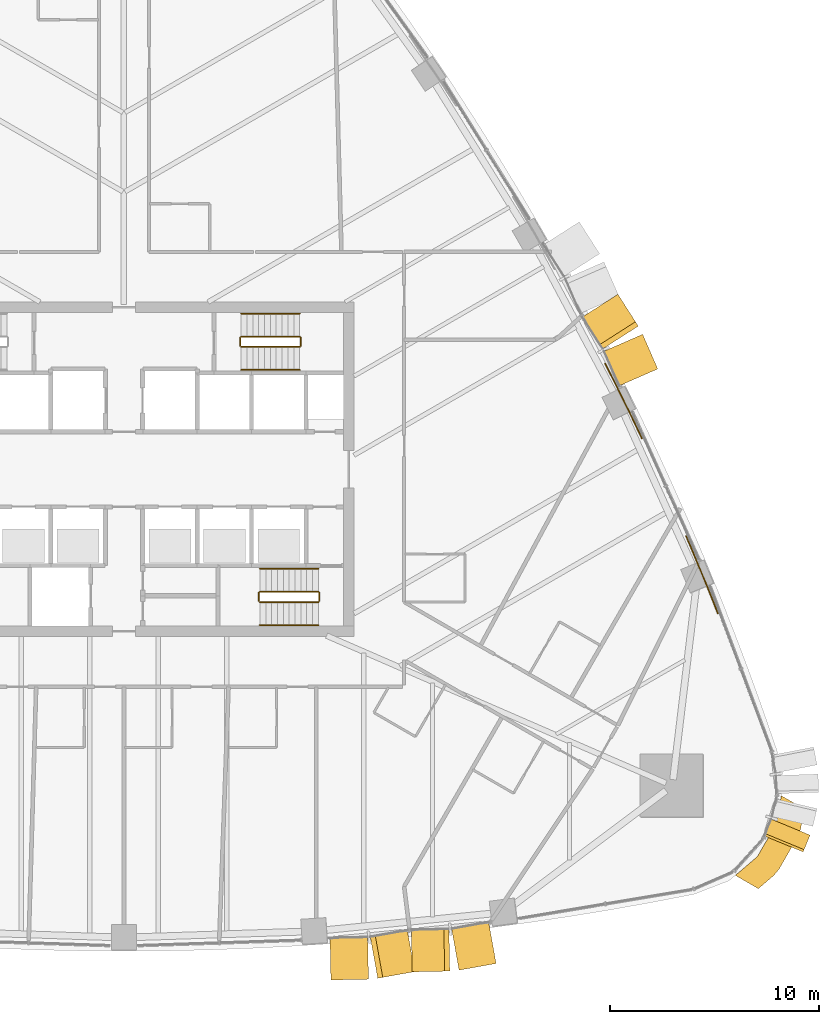
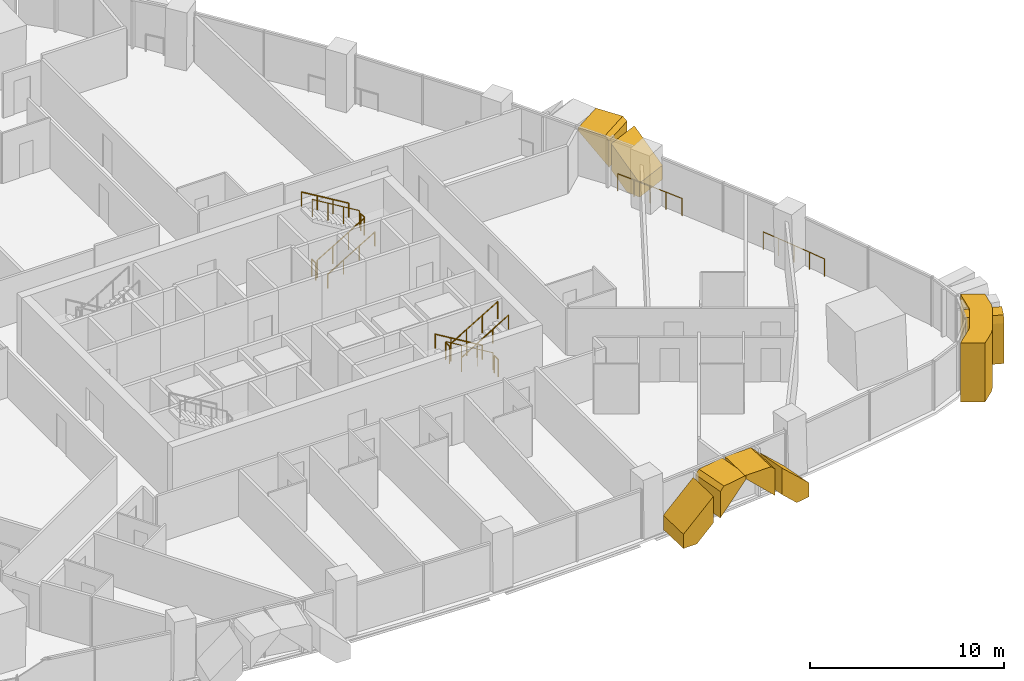
# One storey, part 16 of 18: 14 railings, 8 coverings.
"""IFC4 building model written with IfcOpenShell, lengths in metres."""

from ifc_helpers import new_model, si_unit, direction, frame, origin, origin_2d, place, context, subcontext, project, spatial, polyline, circle, outline, extrude, material, layer, layer_set, type_object, element, save


model = new_model("IFC4")

# Units and contexts
model_context = context("Model", 3, precision=1e-05, world=origin(), true_north=direction((0.0, 1.0)))
body_context = subcontext(model_context, "Body", "Model", "MODEL_VIEW")
ifc_project = project(units=[si_unit("LENGTHUNIT", "METRE"), si_unit("AREAUNIT", "SQUARE_METRE"), si_unit("VOLUMEUNIT", "CUBIC_METRE"), si_unit("PLANEANGLEUNIT", "RADIAN"), si_unit("MASSUNIT", "GRAM", prefix="KILO")], contexts=[model_context])

# Site, building, storey
site_placement = place(None, origin())
site = spatial("IfcSite", under=ifc_project, at=site_placement, CompositionType="ELEMENT")
building_placement = place(site_placement, origin())
building = spatial("IfcBuilding", under=site, at=building_placement, Name="Sierra Prisma Convention Tower", CompositionType="ELEMENT")
storey_placement = place(building_placement, frame((0.0, 0.0, 81.300048828125)))
storey = spatial("IfcBuildingStorey", under=building, at=storey_placement, Name="L16", CompositionType="ELEMENT", Elevation=81.300048828125)

# Coverings
ifc_material_1 = material(Name="Aluminium composite bronze anodised", Category="aluminium")
ifc_layer_1 = layer(ifc_material_1, 1.199951171875)
ifc_layer_set_1 = layer_set([ifc_layer_1], Name="Bronze corner pier")
covering_type_1 = type_object("IfcCoveringType", Name="Bronze corner pier", PredefinedType="CLADDING", material=ifc_layer_set_1)
covering_1_placement = place(storey_placement, frame((0.0, 0.0, -0.60009765625)))
element("IfcCovering", 1, at=covering_1_placement, inside=storey, type_object=covering_type_1, Name="Corner pier SE L16.1", PredefinedType="CLADDING", context=body_context, shape_type="SweptSolid", body=[
    extrude(outline(polyline([(32.361328125, -17.192138671875), (32.220947265625, -17.572265625), (31.32861328125, -19.117919921875), (31.069580078125, -19.4296875), (30.337890625, -20.055908203125), (29.23583984375, -19.419677734375), (30.289306640625, -18.51806640625), (31.181640625, -16.972412109375), (31.435791015625, -15.609130859375), (32.537841796875, -16.245361328125), (32.361328125, -17.192138671875)])), origin(), (0.0, 0.0, 1.0), 3.699951171875),
])
ifc_material_2 = material(Name="Aluminium 6063-T6 bronze anodised", Category="aluminium")
ifc_layer_2 = layer(ifc_material_2, 2.0)
ifc_layer_set_2 = layer_set([ifc_layer_2], Name="Bronze crystal chevron frame")
covering_type_2 = type_object("IfcCoveringType", Name="Bronze crystal chevron frame", PredefinedType="CLADDING", material=ifc_layer_set_2)
covering_2_placement = place(storey_placement, frame((9.894775390625, -24.421875, 0.0), z_axis=(0.020889572844, -0.999781789061, -2.720654e-06), x_axis=(0.999781789065, 0.020889572844, -2.3e-11)))
element("IfcCovering", 2, at=covering_2_placement, inside=storey, type_object=covering_type_2, Name="CW-2 chevron frame S5.1.1", PredefinedType="CLADDING", context=body_context, shape_type="SweptSolid", body=[
    extrude(outline(polyline([(0.0, 0.0), (0.8060842446851644, 0.0), (1.7999532620424137, 0.9553222656707522), (1.7999532620033787, 2.6196289062895928), (-2.087174029611434e-11, 0.8898925781217065), (0.0, 0.0)])), origin(), (0.0, 0.0, -1.0), 2.0),
])
covering_3_placement = place(storey_placement, frame((12.1357421875, -24.34033203125, 2.74462890625), z_axis=(0.177137162934, -0.984186173341, 4.1377733e-05), x_axis=(7.329534e-06, -4.0723392e-05, -0.999999999144)))
element("IfcCovering", 3, at=covering_3_placement, inside=storey, type_object=covering_type_2, Name="CW-2 chevron frame S5.1.2", PredefinedType="CLADDING", context=body_context, shape_type="SweptSolid", body=[
    extrude(outline(polyline([(0.0, 0.0), (1.6643066392002563, 0.0), (-0.06542968784693773, 1.7999501989417441), (-0.23535156270147467, 1.7999501989417441), (-0.23535156584188804, 0.2448540451534099), (0.0, 0.0)])), origin(), (0.0, 0.0, -1.0), 2.0),
])
covering_4_placement = place(storey_placement, frame((13.783447265625, -24.033935546875, 2.97998046875), z_axis=(0.020887430193, -0.999781833817, -5.346942e-06), x_axis=(-1.11684e-07, 5.345775e-06, -0.999999999986)))
element("IfcCovering", 4, at=covering_4_placement, inside=storey, type_object=covering_type_2, Name="CW-2 chevron frame S5.2.1", PredefinedType="CLADDING", context=body_context, shape_type="SweptSolid", body=[
    extrude(outline(polyline([(0.0, 0.0), (0.16992187499757097, 0.0), (1.8996582031045732, 1.7999532620662568), (0.2353515625033643, 1.7999532620662568), (-5.244020300739455e-11, 1.5550265493301054), (0.0, 0.0)])), origin(), (0.0, 0.0, -1.0), 2.0),
])
covering_5_placement = place(storey_placement, frame((17.7958984375, -23.633544921875, 0.0), z_axis=(0.17699694115, -0.984211401117, -2.7107966e-05), x_axis=(4.798027e-06, -2.667997e-05, 0.999999999633)))
element("IfcCovering", 5, at=covering_5_placement, inside=storey, type_object=covering_type_2, Name="CW-2 chevron frame S5.2.2", PredefinedType="CLADDING", context=body_context, shape_type="SweptSolid", body=[
    extrude(outline(polyline([(0.0, 0.0), (0.8898925777980349, 7.537683331889465e-22), (2.6196289059895044, 1.7999069671422196), (0.9553222659760054, 1.7999069671422196), (-1.876932459019968e-09, 0.8059250627621183), (0.0, 0.0)])), origin(), (0.0, 0.0, -1.0), 2.0),
])
covering_6_placement = place(storey_placement, frame((32.478759765625, -18.29638671875, 0.0), z_axis=(0.924871385364, -0.380280054679, -2.3392343e-05), x_axis=(0.380280054783, 0.924871385617, -1.402e-09)))
element("IfcCovering", 6, at=covering_6_placement, inside=storey, type_object=covering_type_2, Name="CW-2 chevron frame SE3.1.1", PredefinedType="CLADDING", context=body_context, shape_type="SweptSolid", body=[
    extrude(outline(polyline([(0.0, 0.0), (0.5611917318611772, -8.470329472543003e-22), (0.8679481795437813, 1.1430664075273491), (0.8679481769677111, 2.9799804695247682), (0.11855933719716494, 2.9799804701309913), (-3.5597292155493195e-09, 2.538330077430511), (0.0, 0.0)])), origin(), (0.0, 0.0, -1.0), 2.0),
])
covering_7_placement = place(storey_placement, frame((25.52734375, 4.799560546875, 0.0), z_axis=(0.916345691719, 0.400388028001, -1.7388949e-05), x_axis=(-0.400388028062, 0.916345691857, -9.54e-10)))
element("IfcCovering", 7, at=covering_7_placement, inside=storey, type_object=covering_type_2, Name="CW-2 chevron frame NE3.1.1", PredefinedType="CLADDING", context=body_context, shape_type="SweptSolid", body=[
    extrude(outline(polyline([(0.0, 0.0), (0.8078306335185894, 8.470329472543003e-22), (1.8079766514657405, 0.9572753924946116), (1.8079766498811851, 2.6181640641185053), (-8.471303780991775e-10, 0.8879394529907544), (0.0, 0.0)])), origin(), (0.0, 0.0, -1.0), 2.0),
])
covering_8_placement = place(storey_placement, frame((24.594482421875, 6.847412109375, 2.74267578125), z_axis=(0.842449719692, 0.538774969599, -4.3882465e-05), x_axis=(-3.6968771e-05, -2.3642774e-05, -0.999999999037)))
element("IfcCovering", 8, at=covering_8_placement, inside=storey, type_object=covering_type_2, Name="CW-2 chevron frame NE3.1.2", PredefinedType="CLADDING", context=body_context, shape_type="SweptSolid", body=[
    extrude(outline(polyline([(0.0, 0.0), (1.6608886702758376, 0.0), (-0.0693359378902116, 1.8080458830528479), (-0.23730468772848537, 1.8080458830528479), (-0.23730469125026266, 0.24800948960070485), (0.0, 0.0)])), origin(), (0.0, 0.0, -1.0), 2.0),
])

# Railings
ifc_material_3 = material(Name="Stainless steel", Category="steel")
railing_type_1 = type_object("IfcRailingType", Name="Exit stair handrail", PredefinedType="HANDRAIL", material=ifc_material_3)
railing_1_placement = place(storey_placement, frame((9.300048828125, -4.75, 0.168212890625)))
element("IfcRailing", 9, at=railing_1_placement, inside=storey, type_object=railing_type_1, Name="L16 S2 stair handrail 1", PredefinedType="HANDRAIL", context=body_context, shape_type="SweptSolid", body=[
    extrude(circle(Radius=0.02392578125, at=origin_2d()), frame((0.0, 0.0, 0.8759765625), z_axis=(-0.857275202839, 0.0, 0.514858452973), x_axis=(0.0, -1.0, 0.0)), (0.0, 0.0, 1.0), 3.26611328125),
    extrude(circle(Radius=0.02099609375, at=origin_2d()), origin(), (0.0, 0.0, 1.0), 0.851806640625),
    extrude(circle(Radius=0.02099609375, at=origin_2d()), frame((-0.933349609375, 0.0, 0.560546875)), (0.0, 0.0, 1.0), 0.851806640625),
    extrude(circle(Radius=0.02099609375, at=origin_2d()), frame((-1.86669921875, 0.0, 1.12109375)), (0.0, 0.0, 1.0), 0.851806640625),
    extrude(circle(Radius=0.02099609375, at=origin_2d()), frame((-2.800048828125, 0.0, 1.681640625)), (0.0, 0.0, 1.0), 0.851806640625),
])
railing_2_placement = place(storey_placement, frame((6.5, -7.449951171875, 2.01806640625)))
element("IfcRailing", 10, at=railing_2_placement, inside=storey, type_object=railing_type_1, Name="L16 S2 stair handrail 2", PredefinedType="HANDRAIL", context=body_context, shape_type="SweptSolid", body=[
    extrude(circle(Radius=0.02392578125, at=origin_2d()), frame((0.0, 0.0, 0.8759765625), z_axis=(0.857242210791, 0.0, 0.514913383045), x_axis=(0.0, 1.0, 0.0)), (0.0, 0.0, 1.0), 3.266357421875),
    extrude(circle(Radius=0.02099609375, at=origin_2d()), origin(), (0.0, 0.0, 1.0), 0.851806640625),
    extrude(circle(Radius=0.02099609375, at=origin_2d()), frame((0.933349609375, 0.0, 0.560546875)), (0.0, 0.0, 1.0), 0.851806640625),
    extrude(circle(Radius=0.02099609375, at=origin_2d()), frame((1.86669921875, 0.0, 1.121337890625)), (0.0, 0.0, 1.0), 0.851806640625),
    extrude(circle(Radius=0.02099609375, at=origin_2d()), frame((2.800048828125, 0.0, 1.681884765625)), (0.0, 0.0, 1.0), 0.851806640625),
])
railing_3_placement = place(storey_placement, frame((5.60009765625, 4.75, 0.168212890625)))
element("IfcRailing", 11, at=railing_3_placement, inside=storey, type_object=railing_type_1, Name="L16 S4 stair handrail 1", PredefinedType="HANDRAIL", context=body_context, shape_type="SweptSolid", body=[
    extrude(circle(Radius=0.02392578125, at=origin_2d()), frame((0.0, 0.0, 0.8759765625), z_axis=(0.857255387014, 0.0, 0.514891446264), x_axis=(0.0, 1.0, 0.0)), (0.0, 0.0, 1.0), 3.26611328125),
    extrude(circle(Radius=0.02099609375, at=origin_2d()), origin(), (0.0, 0.0, 1.0), 0.851806640625),
    extrude(circle(Radius=0.02099609375, at=origin_2d()), frame((0.933349609375, 0.0, 0.560546875)), (0.0, 0.0, 1.0), 0.851806640625),
    extrude(circle(Radius=0.02099609375, at=origin_2d()), frame((1.866455078125, 0.0, 1.12109375)), (0.0, 0.0, 1.0), 0.851806640625),
    extrude(circle(Radius=0.02099609375, at=origin_2d()), frame((2.7998046875, 0.0, 1.681640625)), (0.0, 0.0, 1.0), 0.851806640625),
])
railing_4_placement = place(storey_placement, frame((8.39990234375, 7.449951171875, 2.01806640625)))
element("IfcRailing", 12, at=railing_4_placement, inside=storey, type_object=railing_type_1, Name="L16 S4 stair handrail 2", PredefinedType="HANDRAIL", context=body_context, shape_type="SweptSolid", body=[
    extrude(circle(Radius=0.02392578125, at=origin_2d()), frame((0.0, 0.0, 0.8759765625), z_axis=(-0.857222391501, 0.0, 0.514946377315), x_axis=(0.0, -1.0, 0.0)), (0.0, 0.0, 1.0), 3.26611328125),
    extrude(circle(Radius=0.02099609375, at=origin_2d()), origin(), (0.0, 0.0, 1.0), 0.851806640625),
    extrude(circle(Radius=0.02099609375, at=origin_2d()), frame((-0.933349609375, 0.0, 0.560546875)), (0.0, 0.0, 1.0), 0.851806640625),
    extrude(circle(Radius=0.02099609375, at=origin_2d()), frame((-1.866455078125, 0.0, 1.121337890625)), (0.0, 0.0, 1.0), 0.851806640625),
    extrude(circle(Radius=0.02099609375, at=origin_2d()), frame((-2.7998046875, 0.0, 1.681884765625)), (0.0, 0.0, 1.0), 0.851806640625),
])
ifc_material_4 = material(Name="Bronze anodised aluminium", Category="aluminium")
railing_type_2 = type_object("IfcRailingType", Name="Facade guard 1100", PredefinedType="GUARDRAIL", material=ifc_material_4)
railing_5_placement = place(storey_placement, frame((28.4033203125, -6.888916015625, 0.0)))
element("IfcRailing", 13, at=railing_5_placement, inside=storey, type_object=railing_type_2, Name="Facade guard", PredefinedType="GUARDRAIL", context=body_context, shape_type="SweptSolid", body=[
    extrude(circle(Radius=0.02392578125, at=origin_2d()), frame((0.0, 0.0, 1.076171875), z_axis=(-0.369781416486, 0.929118778209, 0.0), x_axis=(-0.929118778209, -0.369781416486, 0.0)), (0.0, 0.0, 1.0), 0.994384765625),
    extrude(circle(Radius=0.02392578125, at=origin_2d()), frame((-0.36767578125, 0.923828125, 1.076171875), z_axis=(-0.378956081395, 0.925414657531, 0.0), x_axis=(-0.925414657531, -0.378956081395, 0.0)), (0.0, 0.0, 1.0), 0.999755859375),
    extrude(circle(Radius=0.02392578125, at=origin_2d()), frame((-0.74658203125, 1.84912109375, 1.076171875), z_axis=(-0.383255169718, 0.923642503831, 0.0), x_axis=(-0.923642503831, -0.383255169718, 0.0)), (0.0, 0.0, 1.0), 0.994384765625),
    extrude(circle(Radius=0.02392578125, at=origin_2d()), frame((-1.127685546875, 2.767578125, 1.076171875), z_axis=(-0.392091666652, 0.919926151896, 0.0), x_axis=(-0.919926151896, -0.392091666652, 0.0)), (0.0, 0.0, 1.0), 1.0),
    extrude(circle(Radius=0.02099609375, at=origin_2d()), origin(), (0.0, 0.0, 1.0), 1.052001953125),
    extrude(circle(Radius=0.02099609375, at=origin_2d()), frame((-0.36767578125, 0.923828125, 0.0)), (0.0, 0.0, 1.0), 1.052001953125),
    extrude(circle(Radius=0.02099609375, at=origin_2d()), frame((-0.74658203125, 1.84912109375, 0.0)), (0.0, 0.0, 1.0), 1.052001953125),
    extrude(circle(Radius=0.02099609375, at=origin_2d()), frame((-1.127685546875, 2.767578125, 0.0)), (0.0, 0.0, 1.0), 1.052001953125),
    extrude(circle(Radius=0.02099609375, at=origin_2d()), frame((-1.519775390625, 3.6875, 0.0)), (0.0, 0.0, 1.0), 1.052001953125),
])
railing_6_placement = place(storey_placement, frame((24.770263671875, 1.478759765625, 0.0)))
element("IfcRailing", 14, at=railing_6_placement, inside=storey, type_object=railing_type_2, Name="Facade guard", PredefinedType="GUARDRAIL", context=body_context, shape_type="SweptSolid", body=[
    extrude(circle(Radius=0.02392578125, at=origin_2d()), frame((0.0, 0.0, 1.076171875), z_axis=(-0.430928430802, 0.902386107787, 0.0), x_axis=(-0.902386107787, -0.430928430802, 0.0)), (0.0, 0.0, 1.0), 1.0),
    extrude(circle(Radius=0.02392578125, at=origin_2d()), frame((-0.430908203125, 0.90234375, 1.076171875), z_axis=(-0.439240956696, 0.898369290415, 0.0), x_axis=(-0.898369290415, -0.439240956696, 0.0)), (0.0, 0.0, 1.0), 0.994384765625),
    extrude(circle(Radius=0.02392578125, at=origin_2d()), frame((-0.86767578125, 1.795654296875, 1.076171875), z_axis=(-0.443596720488, 0.89622650573, 0.0), x_axis=(-0.89622650573, -0.443596720488, 0.0)), (0.0, 0.0, 1.0), 1.0),
    extrude(circle(Radius=0.02392578125, at=origin_2d()), frame((-1.311279296875, 2.69189453125, 1.076171875), z_axis=(-0.452608247892, 0.891709467226, 0.0), x_axis=(-0.891709467226, -0.452608247892, 0.0)), (0.0, 0.0, 1.0), 0.994140625),
    extrude(circle(Radius=0.02099609375, at=origin_2d()), origin(), (0.0, 0.0, 1.0), 1.052001953125),
    extrude(circle(Radius=0.02099609375, at=origin_2d()), frame((-0.430908203125, 0.90234375, 0.0)), (0.0, 0.0, 1.0), 1.052001953125),
    extrude(circle(Radius=0.02099609375, at=origin_2d()), frame((-0.86767578125, 1.795654296875, 0.0)), (0.0, 0.0, 1.0), 1.052001953125),
    extrude(circle(Radius=0.02099609375, at=origin_2d()), frame((-1.311279296875, 2.69189453125, 0.0)), (0.0, 0.0, 1.0), 1.052001953125),
    extrude(circle(Radius=0.02099609375, at=origin_2d()), frame((-1.76123046875, 3.578369140625, 0.0)), (0.0, 0.0, 1.0), 1.052001953125),
])
ifc_material_5 = material(Name="Stainless steel", Category="steel")
railing_type_3 = type_object("IfcRailingType", Name="Stair guard 1100", PredefinedType="GUARDRAIL", material=ifc_material_5)
railing_7_placement = place(storey_placement, frame((9.300048828125, -5.85009765625, 0.168212890625)))
element("IfcRailing", 15, at=railing_7_placement, inside=storey, type_object=railing_type_3, Name="L16 S2 stair guard 1", PredefinedType="GUARDRAIL", context=body_context, shape_type="SweptSolid", body=[
    extrude(circle(Radius=0.02392578125, at=origin_2d()), frame((0.0, 0.0, 1.076171875), z_axis=(-0.857275202839, 0.0, 0.514858452973), x_axis=(0.0, -1.0, 0.0)), (0.0, 0.0, 1.0), 3.26611328125),
    extrude(circle(Radius=0.02099609375, at=origin_2d()), origin(), (0.0, 0.0, 1.0), 1.052001953125),
    extrude(circle(Radius=0.02099609375, at=origin_2d()), frame((-0.933349609375, 0.0, 0.560546875)), (0.0, 0.0, 1.0), 1.052001953125),
    extrude(circle(Radius=0.02099609375, at=origin_2d()), frame((-1.86669921875, 0.0, 1.12109375)), (0.0, 0.0, 1.0), 1.052001953125),
    extrude(circle(Radius=0.02099609375, at=origin_2d()), frame((-2.800048828125, 0.0, 1.681640625)), (0.0, 0.0, 1.0), 1.052001953125),
])
railing_8_placement = place(storey_placement, frame((6.449951171875, -5.89990234375, 1.849853515625)))
element("IfcRailing", 16, at=railing_8_placement, inside=storey, type_object=railing_type_3, Name="L16 S2 stair guard 2", PredefinedType="GUARDRAIL", context=body_context, shape_type="SweptSolid", body=[
    extrude(circle(Radius=0.02392578125, at=origin_2d()), frame((0.0, 0.0, 1.076171875), z_axis=(0.0, -1.0, 0.0), x_axis=(1.0, 0.0, 0.0)), (0.0, 0.0, 1.0), 0.400146484375),
    extrude(circle(Radius=0.02099609375, at=origin_2d()), origin(), (0.0, 0.0, 1.0), 1.052001953125),
    extrude(circle(Radius=0.02099609375, at=origin_2d()), frame((0.0, -0.400146484375, 0.0)), (0.0, 0.0, 1.0), 1.052001953125),
])
railing_9_placement = place(storey_placement, frame((6.5, -6.35009765625, 2.01806640625)))
element("IfcRailing", 17, at=railing_9_placement, inside=storey, type_object=railing_type_3, Name="L16 S2 stair guard 3", PredefinedType="GUARDRAIL", context=body_context, shape_type="SweptSolid", body=[
    extrude(circle(Radius=0.02392578125, at=origin_2d()), frame((0.0, 0.0, 1.076171875), z_axis=(0.857242210791, 0.0, 0.514913383045), x_axis=(0.0, 1.0, 0.0)), (0.0, 0.0, 1.0), 3.266357421875),
    extrude(circle(Radius=0.02099609375, at=origin_2d()), origin(), (0.0, 0.0, 1.0), 1.052001953125),
    extrude(circle(Radius=0.02099609375, at=origin_2d()), frame((0.933349609375, 0.0, 0.560546875)), (0.0, 0.0, 1.0), 1.052001953125),
    extrude(circle(Radius=0.02099609375, at=origin_2d()), frame((1.86669921875, 0.0, 1.121337890625)), (0.0, 0.0, 1.0), 1.052001953125),
    extrude(circle(Radius=0.02099609375, at=origin_2d()), frame((2.800048828125, 0.0, 1.681884765625)), (0.0, 0.0, 1.0), 1.052001953125),
])
railing_10_placement = place(storey_placement, frame((9.35009765625, -5.89990234375, 0.0)))
element("IfcRailing", 18, at=railing_10_placement, inside=storey, type_object=railing_type_3, Name="L16 S2 stair guard 4", PredefinedType="GUARDRAIL", context=body_context, shape_type="SweptSolid", body=[
    extrude(circle(Radius=0.02392578125, at=origin_2d()), frame((0.0, 0.0, 1.076171875), z_axis=(0.0, -1.0, 0.0), x_axis=(1.0, 0.0, 0.0)), (0.0, 0.0, 1.0), 0.400146484375),
    extrude(circle(Radius=0.02099609375, at=origin_2d()), origin(), (0.0, 0.0, 1.0), 1.052001953125),
    extrude(circle(Radius=0.02099609375, at=origin_2d()), frame((0.0, -0.400146484375, 0.0)), (0.0, 0.0, 1.0), 1.052001953125),
])
railing_11_placement = place(storey_placement, frame((5.60009765625, 5.85009765625, 0.168212890625)))
element("IfcRailing", 19, at=railing_11_placement, inside=storey, type_object=railing_type_3, Name="L16 S4 stair guard 1", PredefinedType="GUARDRAIL", context=body_context, shape_type="SweptSolid", body=[
    extrude(circle(Radius=0.02392578125, at=origin_2d()), frame((0.0, 0.0, 1.076171875), z_axis=(0.857255387014, 0.0, 0.514891446264), x_axis=(0.0, 1.0, 0.0)), (0.0, 0.0, 1.0), 3.26611328125),
    extrude(circle(Radius=0.02099609375, at=origin_2d()), origin(), (0.0, 0.0, 1.0), 1.052001953125),
    extrude(circle(Radius=0.02099609375, at=origin_2d()), frame((0.933349609375, 0.0, 0.560546875)), (0.0, 0.0, 1.0), 1.052001953125),
    extrude(circle(Radius=0.02099609375, at=origin_2d()), frame((1.866455078125, 0.0, 1.12109375)), (0.0, 0.0, 1.0), 1.052001953125),
    extrude(circle(Radius=0.02099609375, at=origin_2d()), frame((2.7998046875, 0.0, 1.681640625)), (0.0, 0.0, 1.0), 1.052001953125),
])
railing_12_placement = place(storey_placement, frame((8.449951171875, 5.89990234375, 1.849853515625)))
element("IfcRailing", 20, at=railing_12_placement, inside=storey, type_object=railing_type_3, Name="L16 S4 stair guard 2", PredefinedType="GUARDRAIL", context=body_context, shape_type="SweptSolid", body=[
    extrude(circle(Radius=0.02392578125, at=origin_2d()), frame((0.0, 0.0, 1.076171875), z_axis=(0.0, 1.0, 0.0), x_axis=(-1.0, 0.0, 0.0)), (0.0, 0.0, 1.0), 0.400146484375),
    extrude(circle(Radius=0.02099609375, at=origin_2d()), origin(), (0.0, 0.0, 1.0), 1.052001953125),
    extrude(circle(Radius=0.02099609375, at=origin_2d()), frame((0.0, 0.400146484375, 0.0)), (0.0, 0.0, 1.0), 1.052001953125),
])
railing_13_placement = place(storey_placement, frame((8.39990234375, 6.35009765625, 2.01806640625)))
element("IfcRailing", 21, at=railing_13_placement, inside=storey, type_object=railing_type_3, Name="L16 S4 stair guard 3", PredefinedType="GUARDRAIL", context=body_context, shape_type="SweptSolid", body=[
    extrude(circle(Radius=0.02392578125, at=origin_2d()), frame((0.0, 0.0, 1.076171875), z_axis=(-0.857222391501, 0.0, 0.514946377315), x_axis=(0.0, -1.0, 0.0)), (0.0, 0.0, 1.0), 3.26611328125),
    extrude(circle(Radius=0.02099609375, at=origin_2d()), origin(), (0.0, 0.0, 1.0), 1.052001953125),
    extrude(circle(Radius=0.02099609375, at=origin_2d()), frame((-0.933349609375, 0.0, 0.560546875)), (0.0, 0.0, 1.0), 1.052001953125),
    extrude(circle(Radius=0.02099609375, at=origin_2d()), frame((-1.866455078125, 0.0, 1.121337890625)), (0.0, 0.0, 1.0), 1.052001953125),
    extrude(circle(Radius=0.02099609375, at=origin_2d()), frame((-2.7998046875, 0.0, 1.681884765625)), (0.0, 0.0, 1.0), 1.052001953125),
])
railing_14_placement = place(storey_placement, frame((5.550048828125, 5.89990234375, 0.0)))
element("IfcRailing", 22, at=railing_14_placement, inside=storey, type_object=railing_type_3, Name="L16 S4 stair guard 4", PredefinedType="GUARDRAIL", context=body_context, shape_type="SweptSolid", body=[
    extrude(circle(Radius=0.02392578125, at=origin_2d()), frame((0.0, 0.0, 1.076171875), z_axis=(0.0, 1.0, 0.0), x_axis=(-1.0, 0.0, 0.0)), (0.0, 0.0, 1.0), 0.400146484375),
    extrude(circle(Radius=0.02099609375, at=origin_2d()), origin(), (0.0, 0.0, 1.0), 1.052001953125),
    extrude(circle(Radius=0.02099609375, at=origin_2d()), frame((0.0, 0.400146484375, 0.0)), (0.0, 0.0, 1.0), 1.052001953125),
])

save(model, "model.ifc")
